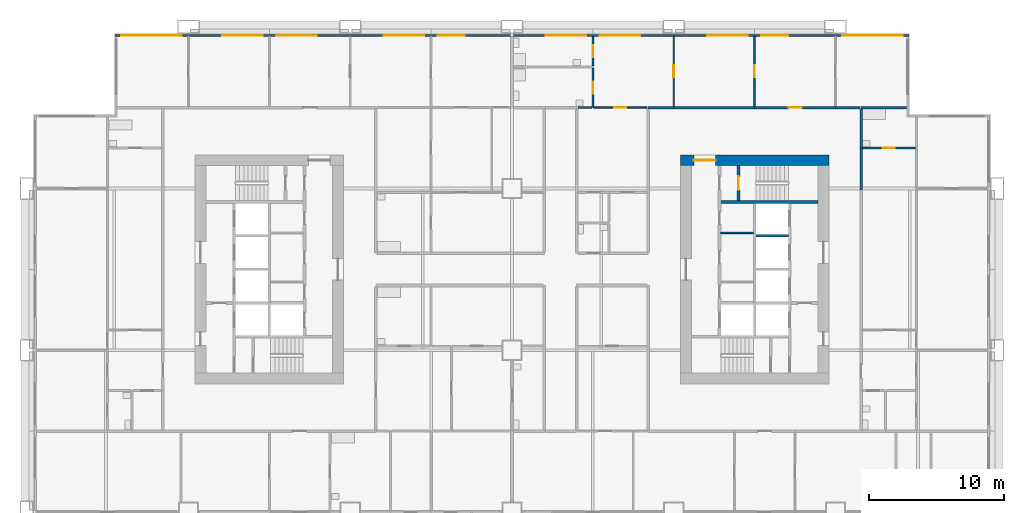
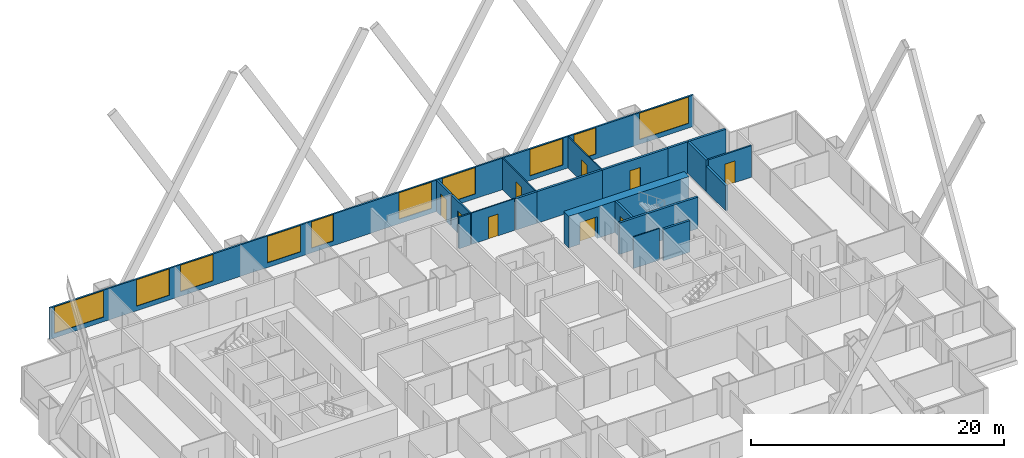
# One storey, part 9 of 13: 20 walls, 10 windows, 9 doors, 19 openings.
"""IFC4 building model written with IfcOpenShell, lengths in metres."""

from ifc_helpers import new_model, si_unit, direction, frame, frame_2d, origin, place, context, subcontext, project, spatial, rectangle, extrude, material, layer, layer_set, type_object, element, fill, save


model = new_model("IFC4")

# Units and contexts
model_context = context("Model", 3, precision=1e-05, world=origin(), true_north=direction((0.0, 1.0)))
body_context = subcontext(model_context, "Body", "Model", "MODEL_VIEW")
ifc_project = project(units=[si_unit("LENGTHUNIT", "METRE"), si_unit("AREAUNIT", "SQUARE_METRE"), si_unit("VOLUMEUNIT", "CUBIC_METRE"), si_unit("PLANEANGLEUNIT", "RADIAN"), si_unit("MASSUNIT", "GRAM", prefix="KILO")], contexts=[model_context])

# Site, building, storey
site_placement = place(None, origin())
site = spatial("IfcSite", under=ifc_project, at=site_placement, CompositionType="ELEMENT")
building_placement = place(site_placement, origin())
building = spatial("IfcBuilding", under=site, at=building_placement, Name="Kitamizu Gate Tower and Museum", CompositionType="ELEMENT")
storey_placement = place(building_placement, frame((0.0, 0.0, 71.39990234375)))
storey = spatial("IfcBuildingStorey", under=building, at=storey_placement, Name="L17", CompositionType="ELEMENT", Elevation=71.39990234375)

# Wall, opening, door
ifc_material_1 = material(Name="Concrete Fc60", Category="concrete")
ifc_layer_1 = layer(ifc_material_1, 0.800048828125)
ifc_layer_set_1 = layer_set([ifc_layer_1], Name="Concrete Fc60")
wall_type_1 = type_object("IfcWallType", Name="Core wall 800", PredefinedType="SHEAR", material=ifc_layer_set_1)
wall_1_placement = place(storey_placement, frame((59.5, 38.10009765625, 0.0), z_axis=(0.0, 0.0, 1.0), x_axis=(-1.0, 0.0, 0.0)))
wall_1 = element("IfcWall", 1, at=wall_1_placement, inside=storey, type_object=wall_type_1, Name="Core wall EN", PredefinedType="SHEAR", context=body_context, shape_type="SweptSolid", body=[
    extrude(rectangle(XDim=11.0, YDim=0.800048828125, at=frame_2d((5.5, 0.0))), origin(), (0.0, 0.0, 1.0), 3.050048828125),
])
opening_1_placement = place(wall_1_placement, frame((8.39990234375, 0.0, 0.0)))
opening_1 = element("IfcOpeningElement", 2, at=opening_1_placement, cuts=wall_1, Name="Opening L17-090", PredefinedType="OPENING", context=body_context, shape_type="SweptSolid", body=[
    extrude(rectangle(XDim=1.60009765625, YDim=2.10009765625, at=frame_2d((0.800048828125, 1.050048828125))), frame((0.0, 0.41015625, 0.0), z_axis=(0.0, -1.0, 0.0), x_axis=(1.0, 0.0, 0.0)), (0.0, 0.0, 1.0), 0.820068359375),
])
ifc_material_2 = material(Name="Timber door set", Category="wood")
door_type_1 = type_object("IfcDoorType", Name="Entrance door 1600", OperationType="DOUBLE_DOOR_SINGLE_SWING", PredefinedType="DOOR", material=ifc_material_2)
door_1_placement = place(opening_1_placement, origin())
door_1 = element("IfcDoor", 3, at=door_1_placement, inside=storey, type_object=door_type_1, Name="Lobby door L17-090", OperationType="DOUBLE_DOOR_SINGLE_SWING", OverallHeight=2.10009765625, OverallWidth=1.60009765625, PredefinedType="DOOR", context=body_context, shape_type="SweptSolid", body=[
    extrude(rectangle(XDim=1.60009765625, YDim=2.10009765625, at=frame_2d((0.800048828125, 1.050048828125))), frame((0.0, 0.02490234375, 0.0), z_axis=(0.0, -1.0, 0.0), x_axis=(1.0, 0.0, 0.0)), (0.0, 0.0, 1.0), 0.050048828125),
])
fill(opening_1, door_1)

# Wall
ifc_material_3 = material(Name="Gypsum board on galvanised stud")
ifc_layer_2 = layer(ifc_material_3, 0.10009765625)
ifc_layer_set_2 = layer_set([ifc_layer_2], Name="Gypsum board on galvanised stud")
wall_type_2 = type_object("IfcWallType", Name="Partition 100", PredefinedType="PARTITIONING", material=ifc_layer_set_2)
wall_2_placement = place(storey_placement, frame((53.89990234375, 32.7099609375, 0.0), z_axis=(0.0, 0.0, 1.0), x_axis=(-1.0, 0.0, 0.0)))
element("IfcWall", 4, at=wall_2_placement, inside=storey, type_object=wall_type_2, Name="Partition EPF2", PredefinedType="PARTITIONING", context=body_context, shape_type="SweptSolid", body=[
    extrude(rectangle(XDim=2.39990234375, YDim=0.10009765625, at=frame_2d((1.199951171875, 0.0))), origin(), (0.0, 0.0, 1.0), 3.050048828125),
])

# Wall, opening, door
ifc_material_4 = material(Name="Gypsum board on galvanised stud")
ifc_layer_3 = layer(ifc_material_4, 0.10009765625)
ifc_layer_set_3 = layer_set([ifc_layer_3], Name="Gypsum board on galvanised stud")
wall_type_3 = type_object("IfcWallType", Name="Partition 100 NOT RATED", PredefinedType="PARTITIONING", material=ifc_layer_set_3)
wall_3_placement = place(storey_placement, frame((48.0, 42.10009765625, 0.0), z_axis=(0.0, 0.0, 1.0), x_axis=(0.0, 1.0, 0.0)))
wall_3 = element("IfcWall", 5, at=wall_3_placement, inside=storey, type_object=wall_type_3, Name="Partition L17-176", PredefinedType="PARTITIONING", context=body_context, shape_type="SweptSolid", body=[
    extrude(rectangle(XDim=5.179931640625, YDim=0.10009765625, at=frame_2d((2.58984375, 0.0))), origin(), (0.0, 0.0, 1.0), 3.050048828125),
])
opening_2_placement = place(wall_3_placement, frame((2.139892578125, 0.0, 0.0)))
opening_2 = element("IfcOpeningElement", 6, at=opening_2_placement, cuts=wall_3, Name="Opening L17-064", PredefinedType="OPENING", context=body_context, shape_type="SweptSolid", body=[
    extrude(rectangle(XDim=0.89990234375, YDim=2.10009765625, at=frame_2d((0.449951171875, 1.050048828125))), frame((0.0, 0.06005859375, 0.0), z_axis=(0.0, -1.0, 0.0), x_axis=(1.0, 0.0, 0.0)), (0.0, 0.0, 1.0), 0.1201171875),
])
ifc_material_5 = material(Name="Timber door set", Category="wood")
door_type_2 = type_object("IfcDoorType", Name="Room door 900", OperationType="NOTDEFINED", PredefinedType="DOOR", material=ifc_material_5)
door_2_placement = place(opening_2_placement, origin())
door_2 = element("IfcDoor", 7, at=door_2_placement, inside=storey, type_object=door_type_2, Name="Door L17-064", OperationType="SINGLE_SWING_LEFT", OverallHeight=2.10009765625, OverallWidth=0.89990234375, PredefinedType="DOOR", context=body_context, shape_type="SweptSolid", body=[
    extrude(rectangle(XDim=0.89990234375, YDim=2.10009765625, at=frame_2d((0.449951171875, 1.050048828125))), frame((0.0, 0.02490234375, 0.0), z_axis=(0.0, -1.0, 0.0), x_axis=(1.0, 0.0, 0.0)), (0.0, 0.0, 1.0), 0.050048828125),
])
fill(opening_2, door_2)

wall_4_placement = place(storey_placement, frame((42.074951171875, 42.0, 0.0), z_axis=(0.0, 0.0, 1.0), x_axis=(1.0, 0.0, 0.0)))
wall_4 = element("IfcWall", 8, at=wall_4_placement, inside=storey, type_object=wall_type_3, Name="Partition L17-177", PredefinedType="PARTITIONING", context=body_context, shape_type="SweptSolid", body=[
    extrude(rectangle(XDim=3.925048828125, YDim=0.10009765625, at=frame_2d((1.96240234375, 0.0))), origin(), (0.0, 0.0, 1.0), 3.050048828125),
])
opening_3_placement = place(wall_4_placement, frame((1.512451171875, 0.0, 0.0)))
opening_3 = element("IfcOpeningElement", 9, at=opening_3_placement, cuts=wall_4, Name="Opening L17-067", PredefinedType="OPENING", context=body_context, shape_type="SweptSolid", body=[
    extrude(rectangle(XDim=0.89990234375, YDim=2.10009765625, at=frame_2d((0.449951171875, 1.050048828125))), frame((0.0, 0.06005859375, 0.0), z_axis=(0.0, -1.0, 0.0), x_axis=(1.0, 0.0, 0.0)), (0.0, 0.0, 1.0), 0.1201171875),
])
door_3_placement = place(opening_3_placement, origin())
door_3 = element("IfcDoor", 10, at=door_3_placement, inside=storey, type_object=door_type_2, Name="Door L17-067", OperationType="SINGLE_SWING_RIGHT", OverallHeight=2.10009765625, OverallWidth=0.89990234375, PredefinedType="DOOR", context=body_context, shape_type="SweptSolid", body=[
    extrude(rectangle(XDim=0.89990234375, YDim=2.10009765625, at=frame_2d((0.449951171875, 1.050048828125))), frame((0.0, 0.02490234375, 0.0), z_axis=(0.0, -1.0, 0.0), x_axis=(1.0, 0.0, 0.0)), (0.0, 0.0, 1.0), 0.050048828125),
])
fill(opening_3, door_3)

wall_5_placement = place(storey_placement, frame((54.0, 42.10009765625, 0.0), z_axis=(0.0, 0.0, 1.0), x_axis=(0.0, 1.0, 0.0)))
wall_5 = element("IfcWall", 11, at=wall_5_placement, inside=storey, type_object=wall_type_3, Name="Partition L17-179", PredefinedType="PARTITIONING", context=body_context, shape_type="SweptSolid", body=[
    extrude(rectangle(XDim=5.179931640625, YDim=0.10009765625, at=frame_2d((2.58984375, 0.0))), origin(), (0.0, 0.0, 1.0), 3.050048828125),
])
opening_4_placement = place(wall_5_placement, frame((2.139892578125, 0.0, 0.0)))
opening_4 = element("IfcOpeningElement", 12, at=opening_4_placement, cuts=wall_5, Name="Opening L17-062", PredefinedType="OPENING", context=body_context, shape_type="SweptSolid", body=[
    extrude(rectangle(XDim=0.89990234375, YDim=2.10009765625, at=frame_2d((0.449951171875, 1.050048828125))), frame((0.0, 0.06005859375, 0.0), z_axis=(0.0, -1.0, 0.0), x_axis=(1.0, 0.0, 0.0)), (0.0, 0.0, 1.0), 0.1201171875),
])
door_4_placement = place(opening_4_placement, origin())
door_4 = element("IfcDoor", 13, at=door_4_placement, inside=storey, type_object=door_type_2, Name="Door L17-062", OperationType="SINGLE_SWING_LEFT", OverallHeight=2.10009765625, OverallWidth=0.89990234375, PredefinedType="DOOR", context=body_context, shape_type="SweptSolid", body=[
    extrude(rectangle(XDim=0.89990234375, YDim=2.10009765625, at=frame_2d((0.449951171875, 1.050048828125))), frame((0.0, 0.02490234375, 0.0), z_axis=(0.0, -1.0, 0.0), x_axis=(1.0, 0.0, 0.0)), (0.0, 0.0, 1.0), 0.050048828125),
])
fill(opening_4, door_4)

ifc_material_6 = material(Name="Gypsum board on galvanised stud")
ifc_layer_4 = layer(ifc_material_6, 0.14990234375)
ifc_layer_set_4 = layer_set([ifc_layer_4], Name="Gypsum board on galvanised stud")
wall_type_4 = type_object("IfcWallType", Name="Partition 150", PredefinedType="PARTITIONING", material=ifc_layer_set_4)
wall_6_placement = place(storey_placement, frame((65.925048828125, 39.0, 0.0), z_axis=(0.0, 0.0, 1.0), x_axis=(-1.0, 0.0, 0.0)))
wall_6 = element("IfcWall", 14, at=wall_6_placement, inside=storey, type_object=wall_type_4, Name="Partition L17-135", PredefinedType="PARTITIONING", context=body_context, shape_type="SweptSolid", body=[
    extrude(rectangle(XDim=3.925048828125, YDim=0.14990234375, at=frame_2d((1.96240234375, 0.0))), origin(), (0.0, 0.0, 1.0), 3.050048828125),
])
opening_5_placement = place(wall_6_placement, frame((1.512451171875, 0.0, 0.0)))
opening_5 = element("IfcOpeningElement", 15, at=opening_5_placement, cuts=wall_6, Name="Opening L17-050", PredefinedType="OPENING", context=body_context, shape_type="SweptSolid", body=[
    extrude(rectangle(XDim=0.89990234375, YDim=2.10009765625, at=frame_2d((0.449951171875, 1.050048828125))), frame((0.0, 0.0849609375, 0.0), z_axis=(0.0, -1.0, 0.0), x_axis=(1.0, 0.0, 0.0)), (0.0, 0.0, 1.0), 0.169921875),
])
ifc_material_7 = material(Name="Timber door set", Category="wood")
door_type_3 = type_object("IfcDoorType", Name="Bathroom door 900", OperationType="NOTDEFINED", PredefinedType="DOOR", material=ifc_material_7)
door_5_placement = place(opening_5_placement, frame((0.89990234375, 0.0, 0.0), x_axis=(-1.0, 0.0, 0.0)))
door_5 = element("IfcDoor", 16, at=door_5_placement, inside=storey, type_object=door_type_3, Name="Bathroom door L17-050", OperationType="SINGLE_SWING_LEFT", OverallHeight=2.10009765625, OverallWidth=0.89990234375, PredefinedType="DOOR", context=body_context, shape_type="SweptSolid", body=[
    extrude(rectangle(XDim=0.89990234375, YDim=2.10009765625, at=frame_2d((0.449951171875, 1.050048828125))), frame((0.0, 0.02490234375, 0.0), z_axis=(0.0, -1.0, 0.0), x_axis=(1.0, 0.0, 0.0)), (0.0, 0.0, 1.0), 0.050048828125),
])
fill(opening_5, door_5)

wall_7_placement = place(storey_placement, frame((42.0, 42.0, 0.0), z_axis=(0.0, 0.0, 1.0), x_axis=(0.0, 1.0, 0.0)))
wall_7 = element("IfcWall", 17, at=wall_7_placement, inside=storey, type_object=wall_type_4, Name="Partition L17-172", PredefinedType="PARTITIONING", context=body_context, shape_type="SweptSolid", body=[
    extrude(rectangle(XDim=2.925048828125, YDim=0.14990234375, at=frame_2d((1.46240234375, 0.0))), origin(), (0.0, 0.0, 1.0), 3.050048828125),
])
opening_6_placement = place(wall_7_placement, frame((1.012451171875, 0.0, 0.0)))
opening_6 = element("IfcOpeningElement", 18, at=opening_6_placement, cuts=wall_7, Name="Opening L17-065", PredefinedType="OPENING", context=body_context, shape_type="SweptSolid", body=[
    extrude(rectangle(XDim=0.89990234375, YDim=2.10009765625, at=frame_2d((0.449951171875, 1.050048828125))), frame((0.0, 0.0849609375, 0.0), z_axis=(0.0, -1.0, 0.0), x_axis=(1.0, 0.0, 0.0)), (0.0, 0.0, 1.0), 0.169921875),
])
door_6_placement = place(opening_6_placement, origin())
door_6 = element("IfcDoor", 19, at=door_6_placement, inside=storey, type_object=door_type_3, Name="Bathroom door L17-065", OperationType="SINGLE_SWING_RIGHT", OverallHeight=2.10009765625, OverallWidth=0.89990234375, PredefinedType="DOOR", context=body_context, shape_type="SweptSolid", body=[
    extrude(rectangle(XDim=0.89990234375, YDim=2.10009765625, at=frame_2d((0.449951171875, 1.050048828125))), frame((0.0, 0.02490234375, 0.0), z_axis=(0.0, -1.0, 0.0), x_axis=(1.0, 0.0, 0.0)), (0.0, 0.0, 1.0), 0.050048828125),
])
fill(opening_6, door_6)

# Wall
wall_8_placement = place(storey_placement, frame((40.89990234375, 42.0, 0.0), z_axis=(0.0, 0.0, 1.0), x_axis=(1.0, 0.0, 0.0)))
element("IfcWall", 20, at=wall_8_placement, inside=storey, type_object=wall_type_4, Name="Partition L17-173", PredefinedType="PARTITIONING", context=body_context, shape_type="SweptSolid", body=[
    extrude(rectangle(XDim=1.025146484375, YDim=0.14990234375, at=frame_2d((0.5126953125, 0.0))), origin(), (0.0, 0.0, 1.0), 3.050048828125),
])

# Wall, opening, door
wall_9_placement = place(storey_placement, frame((42.0, 45.074951171875, 0.0), z_axis=(0.0, 0.0, 1.0), x_axis=(0.0, 1.0, 0.0)))
wall_9 = element("IfcWall", 21, at=wall_9_placement, inside=storey, type_object=wall_type_4, Name="Partition L17-175", PredefinedType="PARTITIONING", context=body_context, shape_type="SweptSolid", body=[
    extrude(rectangle(XDim=2.205078125, YDim=0.14990234375, at=frame_2d((1.1025390625, 0.0))), origin(), (0.0, 0.0, 1.0), 3.050048828125),
])
opening_7_placement = place(wall_9_placement, frame((0.652587890625, 0.0, 0.0)))
opening_7 = element("IfcOpeningElement", 22, at=opening_7_placement, cuts=wall_9, Name="Opening L17-066", PredefinedType="OPENING", context=body_context, shape_type="SweptSolid", body=[
    extrude(rectangle(XDim=0.89990234375, YDim=2.10009765625, at=frame_2d((0.449951171875, 1.050048828125))), frame((0.0, 0.0849609375, 0.0), z_axis=(0.0, -1.0, 0.0), x_axis=(1.0, 0.0, 0.0)), (0.0, 0.0, 1.0), 0.169921875),
])
door_7_placement = place(opening_7_placement, origin())
door_7 = element("IfcDoor", 23, at=door_7_placement, inside=storey, type_object=door_type_3, Name="Bathroom door L17-066", OperationType="SINGLE_SWING_LEFT", OverallHeight=2.10009765625, OverallWidth=0.89990234375, PredefinedType="DOOR", context=body_context, shape_type="SweptSolid", body=[
    extrude(rectangle(XDim=0.89990234375, YDim=2.10009765625, at=frame_2d((0.449951171875, 1.050048828125))), frame((0.0, 0.02490234375, 0.0), z_axis=(0.0, -1.0, 0.0), x_axis=(1.0, 0.0, 0.0)), (0.0, 0.0, 1.0), 0.050048828125),
])
fill(opening_7, door_7)

# Walls
ifc_material_8 = material(Name="Gypsum board on galvanised stud")
ifc_layer_5 = layer(ifc_material_8, 0.199951171875)
ifc_layer_set_5 = layer_set([ifc_layer_5], Name="Gypsum board on galvanised stud")
wall_type_5 = type_object("IfcWallType", Name="Partition 200", PredefinedType="PARTITIONING", material=ifc_layer_set_5)
wall_10_placement = place(storey_placement, frame((61.89990234375, 39.0, 0.0), z_axis=(0.0, 0.0, 1.0), x_axis=(0.0, -1.0, 0.0)))
element("IfcWall", 24, at=wall_10_placement, inside=storey, type_object=wall_type_5, Name="Partition L17-136", PredefinedType="PARTITIONING", context=body_context, shape_type="SweptSolid", body=[
    extrude(rectangle(XDim=3.10009765625, YDim=0.199951171875, at=frame_2d((1.550048828125, 0.0))), origin(), (0.0, 0.0, 1.0), 2.4501953125),
])
wall_11_placement = place(storey_placement, frame((65.280029296875, 42.0, 0.0), z_axis=(0.0, 0.0, 1.0), x_axis=(-1.0, 0.0, 0.0)))
element("IfcWall", 25, at=wall_11_placement, inside=storey, type_object=wall_type_5, Name="Partition L17-138", PredefinedType="PARTITIONING", context=body_context, shape_type="SweptSolid", body=[
    extrude(rectangle(XDim=3.380126953125, YDim=0.199951171875, at=frame_2d((1.68994140625, 0.0))), origin(), (0.0, 0.0, 1.0), 3.050048828125),
])
wall_12_placement = place(storey_placement, frame((61.89990234375, 41.89990234375, 0.0), z_axis=(0.0, 0.0, 1.0), x_axis=(0.0, -1.0, 0.0)))
element("IfcWall", 26, at=wall_12_placement, inside=storey, type_object=wall_type_5, Name="Partition L17-139", PredefinedType="PARTITIONING", context=body_context, shape_type="SweptSolid", body=[
    extrude(rectangle(XDim=2.89990234375, YDim=0.199951171875, at=frame_2d((1.449951171875, 0.0))), origin(), (0.0, 0.0, 1.0), 3.050048828125),
])
wall_13_placement = place(storey_placement, frame((46.10009765625, 42.0, 0.0), z_axis=(0.0, 0.0, 1.0), x_axis=(1.0, 0.0, 0.0)))
element("IfcWall", 27, at=wall_13_placement, inside=storey, type_object=wall_type_5, Name="Partition L17-178", PredefinedType="PARTITIONING", context=body_context, shape_type="SweptSolid", body=[
    extrude(rectangle(XDim=1.89990234375, YDim=0.199951171875, at=frame_2d((0.949951171875, 0.0))), origin(), (0.0, 0.0, 1.0), 3.050048828125),
])
wall_14_placement = place(storey_placement, frame((48.0, 42.0, 0.0), z_axis=(0.0, 0.0, 1.0), x_axis=(1.0, 0.0, 0.0)))
element("IfcWall", 28, at=wall_14_placement, inside=storey, type_object=wall_type_5, Name="Partition L17-180", PredefinedType="PARTITIONING", context=body_context, shape_type="SweptSolid", body=[
    extrude(rectangle(XDim=6.0, YDim=0.199951171875, at=frame_2d((3.0, 0.0))), origin(), (0.0, 0.0, 1.0), 3.050048828125),
])

# Wall, opening, door
wall_15_placement = place(storey_placement, frame((54.0, 42.0, 0.0), z_axis=(0.0, 0.0, 1.0), x_axis=(1.0, 0.0, 0.0)))
wall_15 = element("IfcWall", 29, at=wall_15_placement, inside=storey, type_object=wall_type_5, Name="Partition L17-182", PredefinedType="PARTITIONING", context=body_context, shape_type="SweptSolid", body=[
    extrude(rectangle(XDim=6.0, YDim=0.199951171875, at=frame_2d((3.0, 0.0))), origin(), (0.0, 0.0, 1.0), 3.050048828125),
])
opening_8_placement = place(wall_15_placement, frame((2.5, 0.0, 0.0)))
opening_8 = element("IfcOpeningElement", 30, at=opening_8_placement, cuts=wall_15, Name="Opening L17-061", PredefinedType="OPENING", context=body_context, shape_type="SweptSolid", body=[
    extrude(rectangle(XDim=1.0, YDim=2.10009765625, at=frame_2d((0.5, 1.050048828125))), frame((0.0, 0.10986328125, 0.0), z_axis=(0.0, -1.0, 0.0), x_axis=(1.0, 0.0, 0.0)), (0.0, 0.0, 1.0), 0.219970703125),
])
ifc_material_9 = material(Name="Timber door set", Category="wood")
door_type_4 = type_object("IfcDoorType", Name="Flat entrance door 1000", OperationType="NOTDEFINED", PredefinedType="DOOR", material=ifc_material_9)
door_8_placement = place(opening_8_placement, origin())
door_8 = element("IfcDoor", 31, at=door_8_placement, inside=storey, type_object=door_type_4, Name="Flat entrance door L17-061", OperationType="SINGLE_SWING_RIGHT", OverallHeight=2.10009765625, OverallWidth=1.0, PredefinedType="DOOR", context=body_context, shape_type="SweptSolid", body=[
    extrude(rectangle(XDim=1.0, YDim=2.10009765625, at=frame_2d((0.5, 1.050048828125))), frame((0.0, 0.02490234375, 0.0), z_axis=(0.0, -1.0, 0.0), x_axis=(1.0, 0.0, 0.0)), (0.0, 0.0, 1.0), 0.050048828125),
])
fill(opening_8, door_8)

# Walls
wall_16_placement = place(storey_placement, frame((60.0, 42.0, 0.0), z_axis=(0.0, 0.0, 1.0), x_axis=(1.0, 0.0, 0.0)))
element("IfcWall", 32, at=wall_16_placement, inside=storey, type_object=wall_type_5, Name="Partition L17-183", PredefinedType="PARTITIONING", context=body_context, shape_type="SweptSolid", body=[
    extrude(rectangle(XDim=1.800048828125, YDim=0.199951171875, at=frame_2d((0.89990234375, 0.0))), origin(), (0.0, 0.0, 1.0), 3.050048828125),
])
ifc_material_10 = material(Name="Concrete Fc42", Category="concrete")
ifc_layer_6 = layer(ifc_material_10, 0.199951171875)
ifc_layer_set_6 = layer_set([ifc_layer_6], Name="Concrete Fc42")
wall_type_6 = type_object("IfcWallType", Name="Shaft wall 200", PredefinedType="SOLIDWALL", material=ifc_layer_set_6)
wall_17_placement = place(storey_placement, frame((58.699951171875, 35.0, 0.0), z_axis=(0.0, 0.0, 1.0), x_axis=(-1.0, 0.0, 0.0)))
element("IfcWall", 33, at=wall_17_placement, inside=storey, type_object=wall_type_6, Name="Shaft wall ENB", PredefinedType="SOLIDWALL", context=body_context, shape_type="SweptSolid", body=[
    extrude(rectangle(XDim=7.199951171875, YDim=0.199951171875, at=frame_2d((3.60009765625, 0.0))), origin(), (0.0, 0.0, 1.0), 3.050048828125),
])

# Wall, opening, door
wall_18_placement = place(storey_placement, frame((52.800048828125, 35.10009765625, 0.0), z_axis=(0.0, 0.0, 1.0), x_axis=(0.0, 1.0, 0.0)))
wall_18 = element("IfcWall", 34, at=wall_18_placement, inside=storey, type_object=wall_type_6, Name="Shaft wall ENZ", PredefinedType="SOLIDWALL", context=body_context, shape_type="SweptSolid", body=[
    extrude(rectangle(XDim=2.599853515625, YDim=0.199951171875, at=frame_2d((1.2998046875, 0.0))), origin(), (0.0, 0.0, 1.0), 3.050048828125),
])
opening_9_placement = place(wall_18_placement, frame((0.800048828125, 0.0, 0.0)))
opening_9 = element("IfcOpeningElement", 35, at=opening_9_placement, cuts=wall_18, Name="Opening L17-086", PredefinedType="OPENING", context=body_context, shape_type="SweptSolid", body=[
    extrude(rectangle(XDim=1.0, YDim=2.10009765625, at=frame_2d((0.5, 1.050048828125))), frame((0.0, 0.10986328125, 0.0), z_axis=(0.0, -1.0, 0.0), x_axis=(1.0, 0.0, 0.0)), (0.0, 0.0, 1.0), 0.219970703125),
])
ifc_material_11 = material(Name="Hollow metal door set")
door_type_5 = type_object("IfcDoorType", Name="Fire door 1000", OperationType="NOTDEFINED", PredefinedType="DOOR", material=ifc_material_11)
door_9_placement = place(opening_9_placement, frame((1.0, 0.0, 0.0), x_axis=(-1.0, 0.0, 0.0)))
door_9 = element("IfcDoor", 36, at=door_9_placement, inside=storey, type_object=door_type_5, Name="Stair door L17-086", OperationType="SINGLE_SWING_LEFT", OverallHeight=2.10009765625, OverallWidth=1.0, PredefinedType="DOOR", context=body_context, shape_type="SweptSolid", body=[
    extrude(rectangle(XDim=1.0, YDim=2.10009765625, at=frame_2d((0.5, 1.050048828125))), frame((0.0, 0.02490234375, 0.0), z_axis=(0.0, -1.0, 0.0), x_axis=(1.0, 0.0, 0.0)), (0.0, 0.0, 1.0), 0.050048828125),
])
fill(opening_9, door_9)

# Wall
wall_19_placement = place(storey_placement, frame((56.5, 32.5, 0.0), z_axis=(0.0, 0.0, 1.0), x_axis=(-1.0, 0.0, 0.0)))
element("IfcWall", 37, at=wall_19_placement, inside=storey, type_object=wall_type_6, Name="Shaft wall EDVW2", PredefinedType="SOLIDWALL", context=body_context, shape_type="SweptSolid", body=[
    extrude(rectangle(XDim=2.39990234375, YDim=0.199951171875, at=frame_2d((1.199951171875, 0.0))), origin(), (0.0, 0.0, 1.0), 3.050048828125),
])

# Wall, openings, windows
ifc_material_12 = material(Name="Bronze anodised aluminium frame with insulated spandrel and tinted glass", Category="aluminium")
ifc_layer_7 = layer(ifc_material_12, 0.14990234375)
ifc_layer_set_7 = layer_set([ifc_layer_7], Name="Bronze anodised aluminium frame with insulated spandrel and tinted glass")
wall_type_7 = type_object("IfcWallType", Name="WINDOW WALL 150 BRONZE FRAME EI 30", PredefinedType="ELEMENTEDWALL", material=ifc_layer_set_7)
wall_20_placement = place(storey_placement, frame((6.56005859375, 47.364990234375, 0.0), z_axis=(0.0, 0.0, 1.0), x_axis=(1.0, 0.0, 0.0)))
wall_20 = element("IfcWall", 38, at=wall_20_placement, inside=storey, type_object=wall_type_7, Name="Window wall north L17", PredefinedType="ELEMENTEDWALL", context=body_context, shape_type="SweptSolid", body=[
    extrude(rectangle(XDim=58.8798828125, YDim=0.14990234375, at=frame_2d((29.43994140625, 0.0))), origin(), (0.0, 0.0, 1.0), 3.050048828125),
])
opening_10_placement = place(wall_20_placement, frame((0.43994140625, 0.0, 0.449951171875)))
opening_10 = element("IfcOpeningElement", 39, at=opening_10_placement, cuts=wall_20, Name="Opening W15", PredefinedType="OPENING", context=body_context, shape_type="SweptSolid", body=[
    extrude(rectangle(XDim=4.5, YDim=2.550048828125, at=frame_2d((2.25, 1.27490234375))), frame((0.0, 0.0849609375, 0.0), z_axis=(0.0, -1.0, 0.0), x_axis=(1.0, 0.0, 0.0)), (0.0, 0.0, 1.0), 0.169921875),
])
opening_11_placement = place(wall_20_placement, frame((7.93994140625, 0.0, 0.449951171875)))
opening_11 = element("IfcOpeningElement", 40, at=opening_11_placement, cuts=wall_20, Name="Opening W33", PredefinedType="OPENING", context=body_context, shape_type="SweptSolid", body=[
    extrude(rectangle(XDim=3.0, YDim=2.550048828125, at=frame_2d((1.5, 1.27490234375))), frame((0.0, 0.0849609375, 0.0), z_axis=(0.0, -1.0, 0.0), x_axis=(1.0, 0.0, 0.0)), (0.0, 0.0, 1.0), 0.169921875),
])
opening_12_placement = place(wall_20_placement, frame((11.93994140625, 0.0, 0.449951171875)))
opening_12 = element("IfcOpeningElement", 41, at=opening_12_placement, cuts=wall_20, Name="Opening W33", PredefinedType="OPENING", context=body_context, shape_type="SweptSolid", body=[
    extrude(rectangle(XDim=3.0, YDim=2.550048828125, at=frame_2d((1.5, 1.27490234375))), frame((0.0, 0.0849609375, 0.0), z_axis=(0.0, -1.0, 0.0), x_axis=(1.0, 0.0, 0.0)), (0.0, 0.0, 1.0), 0.169921875),
])
opening_13_placement = place(wall_20_placement, frame((19.93994140625, 0.0, 0.449951171875)))
opening_13 = element("IfcOpeningElement", 42, at=opening_13_placement, cuts=wall_20, Name="Opening W33", PredefinedType="OPENING", context=body_context, shape_type="SweptSolid", body=[
    extrude(rectangle(XDim=3.0, YDim=2.550048828125, at=frame_2d((1.5, 1.27490234375))), frame((0.0, 0.0849609375, 0.0), z_axis=(0.0, -1.0, 0.0), x_axis=(1.0, 0.0, 0.0)), (0.0, 0.0, 1.0), 0.169921875),
])
opening_14_placement = place(wall_20_placement, frame((23.93994140625, 0.0, 0.449951171875)))
opening_14 = element("IfcOpeningElement", 43, at=opening_14_placement, cuts=wall_20, Name="Opening W2", PredefinedType="OPENING", context=body_context, shape_type="SweptSolid", body=[
    extrude(rectangle(XDim=2.0, YDim=2.550048828125, at=frame_2d((1.0, 1.27490234375))), frame((0.0, 0.0849609375, 0.0), z_axis=(0.0, -1.0, 0.0), x_axis=(1.0, 0.0, 0.0)), (0.0, 0.0, 1.0), 0.169921875),
])
opening_15_placement = place(wall_20_placement, frame((31.93994140625, 0.0, 0.449951171875)))
opening_15 = element("IfcOpeningElement", 44, at=opening_15_placement, cuts=wall_20, Name="Opening W33", PredefinedType="OPENING", context=body_context, shape_type="SweptSolid", body=[
    extrude(rectangle(XDim=3.0, YDim=2.550048828125, at=frame_2d((1.5, 1.27490234375))), frame((0.0, 0.0849609375, 0.0), z_axis=(0.0, -1.0, 0.0), x_axis=(1.0, 0.0, 0.0)), (0.0, 0.0, 1.0), 0.169921875),
])
opening_16_placement = place(wall_20_placement, frame((35.93994140625, 0.0, 0.449951171875)))
opening_16 = element("IfcOpeningElement", 45, at=opening_16_placement, cuts=wall_20, Name="Opening W33", PredefinedType="OPENING", context=body_context, shape_type="SweptSolid", body=[
    extrude(rectangle(XDim=3.0, YDim=2.550048828125, at=frame_2d((1.5, 1.27490234375))), frame((0.0, 0.0849609375, 0.0), z_axis=(0.0, -1.0, 0.0), x_axis=(1.0, 0.0, 0.0)), (0.0, 0.0, 1.0), 0.169921875),
])
opening_17_placement = place(wall_20_placement, frame((43.93994140625, 0.0, 0.449951171875)))
opening_17 = element("IfcOpeningElement", 46, at=opening_17_placement, cuts=wall_20, Name="Opening W33", PredefinedType="OPENING", context=body_context, shape_type="SweptSolid", body=[
    extrude(rectangle(XDim=3.0, YDim=2.550048828125, at=frame_2d((1.5, 1.27490234375))), frame((0.0, 0.0849609375, 0.0), z_axis=(0.0, -1.0, 0.0), x_axis=(1.0, 0.0, 0.0)), (0.0, 0.0, 1.0), 0.169921875),
])
opening_18_placement = place(wall_20_placement, frame((47.93994140625, 0.0, 0.449951171875)))
opening_18 = element("IfcOpeningElement", 47, at=opening_18_placement, cuts=wall_20, Name="Opening W2", PredefinedType="OPENING", context=body_context, shape_type="SweptSolid", body=[
    extrude(rectangle(XDim=2.0, YDim=2.550048828125, at=frame_2d((1.0, 1.27490234375))), frame((0.0, 0.0849609375, 0.0), z_axis=(0.0, -1.0, 0.0), x_axis=(1.0, 0.0, 0.0)), (0.0, 0.0, 1.0), 0.169921875),
])
opening_19_placement = place(wall_20_placement, frame((53.93994140625, 0.0, 0.449951171875)))
opening_19 = element("IfcOpeningElement", 48, at=opening_19_placement, cuts=wall_20, Name="Opening W15", PredefinedType="OPENING", context=body_context, shape_type="SweptSolid", body=[
    extrude(rectangle(XDim=4.5, YDim=2.550048828125, at=frame_2d((2.25, 1.27490234375))), frame((0.0, 0.0849609375, 0.0), z_axis=(0.0, -1.0, 0.0), x_axis=(1.0, 0.0, 0.0)), (0.0, 0.0, 1.0), 0.169921875),
])
ifc_material_13 = material(Name="Bronze anodised aluminium frame, tinted triple glazing", Category="aluminium")
window_type_1 = type_object("IfcWindowType", Name="WINDOW 2000 x 2550 SILL 450", PartitioningType="SINGLE_PANEL", PredefinedType="WINDOW", material=ifc_material_13)
window_1_placement = place(opening_14_placement, origin())
window_1 = element("IfcWindow", 49, at=window_1_placement, inside=storey, type_object=window_type_1, Name="Window W2 L17", OverallHeight=2.550048828125, OverallWidth=2.0, PartitioningType="SINGLE_PANEL", PredefinedType="WINDOW", context=body_context, shape_type="SweptSolid", body=[
    extrude(rectangle(XDim=2.0, YDim=2.550048828125, at=frame_2d((1.0, 1.27490234375))), frame((0.0, 0.030029296875, 0.0), z_axis=(0.0, -1.0, 0.0), x_axis=(1.0, 0.0, 0.0)), (0.0, 0.0, 1.0), 0.06005859375),
])
fill(opening_14, window_1)
window_2_placement = place(opening_18_placement, origin())
window_2 = element("IfcWindow", 50, at=window_2_placement, inside=storey, type_object=window_type_1, Name="Window W2 L17", OverallHeight=2.550048828125, OverallWidth=2.0, PartitioningType="SINGLE_PANEL", PredefinedType="WINDOW", context=body_context, shape_type="SweptSolid", body=[
    extrude(rectangle(XDim=2.0, YDim=2.550048828125, at=frame_2d((1.0, 1.27490234375))), frame((0.0, 0.030029296875, 0.0), z_axis=(0.0, -1.0, 0.0), x_axis=(1.0, 0.0, 0.0)), (0.0, 0.0, 1.0), 0.06005859375),
])
fill(opening_18, window_2)
ifc_material_14 = material(Name="Bronze anodised aluminium frame, tinted triple glazing", Category="aluminium")
window_type_2 = type_object("IfcWindowType", Name="WINDOW 3000 x 2550 SILL 450", PartitioningType="SINGLE_PANEL", PredefinedType="WINDOW", material=ifc_material_14)
window_3_placement = place(opening_11_placement, origin())
window_3 = element("IfcWindow", 51, at=window_3_placement, inside=storey, type_object=window_type_2, Name="Window W33 L17", OverallHeight=2.550048828125, OverallWidth=3.0, PartitioningType="SINGLE_PANEL", PredefinedType="WINDOW", context=body_context, shape_type="SweptSolid", body=[
    extrude(rectangle(XDim=3.0, YDim=2.550048828125, at=frame_2d((1.5, 1.27490234375))), frame((0.0, 0.030029296875, 0.0), z_axis=(0.0, -1.0, 0.0), x_axis=(1.0, 0.0, 0.0)), (0.0, 0.0, 1.0), 0.06005859375),
])
fill(opening_11, window_3)
window_4_placement = place(opening_12_placement, origin())
window_4 = element("IfcWindow", 52, at=window_4_placement, inside=storey, type_object=window_type_2, Name="Window W33 L17", OverallHeight=2.550048828125, OverallWidth=3.0, PartitioningType="SINGLE_PANEL", PredefinedType="WINDOW", context=body_context, shape_type="SweptSolid", body=[
    extrude(rectangle(XDim=3.0, YDim=2.550048828125, at=frame_2d((1.5, 1.27490234375))), frame((0.0, 0.030029296875, 0.0), z_axis=(0.0, -1.0, 0.0), x_axis=(1.0, 0.0, 0.0)), (0.0, 0.0, 1.0), 0.06005859375),
])
fill(opening_12, window_4)
window_5_placement = place(opening_13_placement, origin())
window_5 = element("IfcWindow", 53, at=window_5_placement, inside=storey, type_object=window_type_2, Name="Window W33 L17", OverallHeight=2.550048828125, OverallWidth=3.0, PartitioningType="SINGLE_PANEL", PredefinedType="WINDOW", context=body_context, shape_type="SweptSolid", body=[
    extrude(rectangle(XDim=3.0, YDim=2.550048828125, at=frame_2d((1.5, 1.27490234375))), frame((0.0, 0.030029296875, 0.0), z_axis=(0.0, -1.0, 0.0), x_axis=(1.0, 0.0, 0.0)), (0.0, 0.0, 1.0), 0.06005859375),
])
fill(opening_13, window_5)
window_6_placement = place(opening_15_placement, origin())
window_6 = element("IfcWindow", 54, at=window_6_placement, inside=storey, type_object=window_type_2, Name="Window W33 L17", OverallHeight=2.550048828125, OverallWidth=3.0, PartitioningType="SINGLE_PANEL", PredefinedType="WINDOW", context=body_context, shape_type="SweptSolid", body=[
    extrude(rectangle(XDim=3.0, YDim=2.550048828125, at=frame_2d((1.5, 1.27490234375))), frame((0.0, 0.030029296875, 0.0), z_axis=(0.0, -1.0, 0.0), x_axis=(1.0, 0.0, 0.0)), (0.0, 0.0, 1.0), 0.06005859375),
])
fill(opening_15, window_6)
window_7_placement = place(opening_16_placement, origin())
window_7 = element("IfcWindow", 55, at=window_7_placement, inside=storey, type_object=window_type_2, Name="Window W33 L17", OverallHeight=2.550048828125, OverallWidth=3.0, PartitioningType="SINGLE_PANEL", PredefinedType="WINDOW", context=body_context, shape_type="SweptSolid", body=[
    extrude(rectangle(XDim=3.0, YDim=2.550048828125, at=frame_2d((1.5, 1.27490234375))), frame((0.0, 0.030029296875, 0.0), z_axis=(0.0, -1.0, 0.0), x_axis=(1.0, 0.0, 0.0)), (0.0, 0.0, 1.0), 0.06005859375),
])
fill(opening_16, window_7)
window_8_placement = place(opening_17_placement, origin())
window_8 = element("IfcWindow", 56, at=window_8_placement, inside=storey, type_object=window_type_2, Name="Window W33 L17", OverallHeight=2.550048828125, OverallWidth=3.0, PartitioningType="SINGLE_PANEL", PredefinedType="WINDOW", context=body_context, shape_type="SweptSolid", body=[
    extrude(rectangle(XDim=3.0, YDim=2.550048828125, at=frame_2d((1.5, 1.27490234375))), frame((0.0, 0.030029296875, 0.0), z_axis=(0.0, -1.0, 0.0), x_axis=(1.0, 0.0, 0.0)), (0.0, 0.0, 1.0), 0.06005859375),
])
fill(opening_17, window_8)
ifc_material_15 = material(Name="Bronze anodised aluminium frame, tinted triple glazing", Category="aluminium")
window_type_3 = type_object("IfcWindowType", Name="WINDOW 4500 x 2550 SILL 450", PartitioningType="SINGLE_PANEL", PredefinedType="WINDOW", material=ifc_material_15)
window_9_placement = place(opening_10_placement, origin())
window_9 = element("IfcWindow", 57, at=window_9_placement, inside=storey, type_object=window_type_3, Name="Window W15 L17", OverallHeight=2.550048828125, OverallWidth=4.5, PartitioningType="SINGLE_PANEL", PredefinedType="WINDOW", context=body_context, shape_type="SweptSolid", body=[
    extrude(rectangle(XDim=4.5, YDim=2.550048828125, at=frame_2d((2.25, 1.27490234375))), frame((0.0, 0.030029296875, 0.0), z_axis=(0.0, -1.0, 0.0), x_axis=(1.0, 0.0, 0.0)), (0.0, 0.0, 1.0), 0.06005859375),
])
fill(opening_10, window_9)
window_10_placement = place(opening_19_placement, origin())
window_10 = element("IfcWindow", 58, at=window_10_placement, inside=storey, type_object=window_type_3, Name="Window W15 L17", OverallHeight=2.550048828125, OverallWidth=4.5, PartitioningType="SINGLE_PANEL", PredefinedType="WINDOW", context=body_context, shape_type="SweptSolid", body=[
    extrude(rectangle(XDim=4.5, YDim=2.550048828125, at=frame_2d((2.25, 1.27490234375))), frame((0.0, 0.030029296875, 0.0), z_axis=(0.0, -1.0, 0.0), x_axis=(1.0, 0.0, 0.0)), (0.0, 0.0, 1.0), 0.06005859375),
])
fill(opening_19, window_10)

save(model, "model.ifc")
